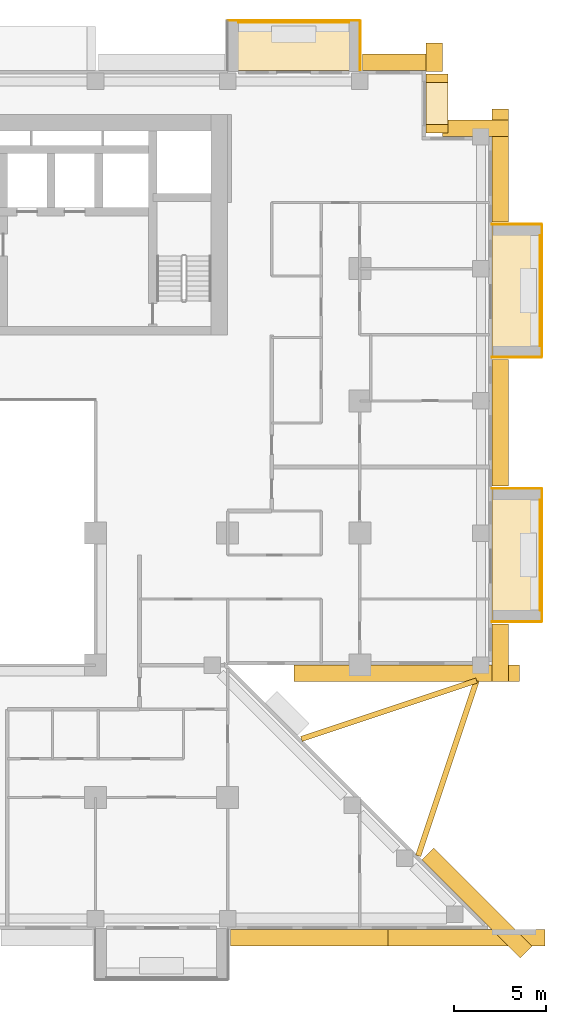
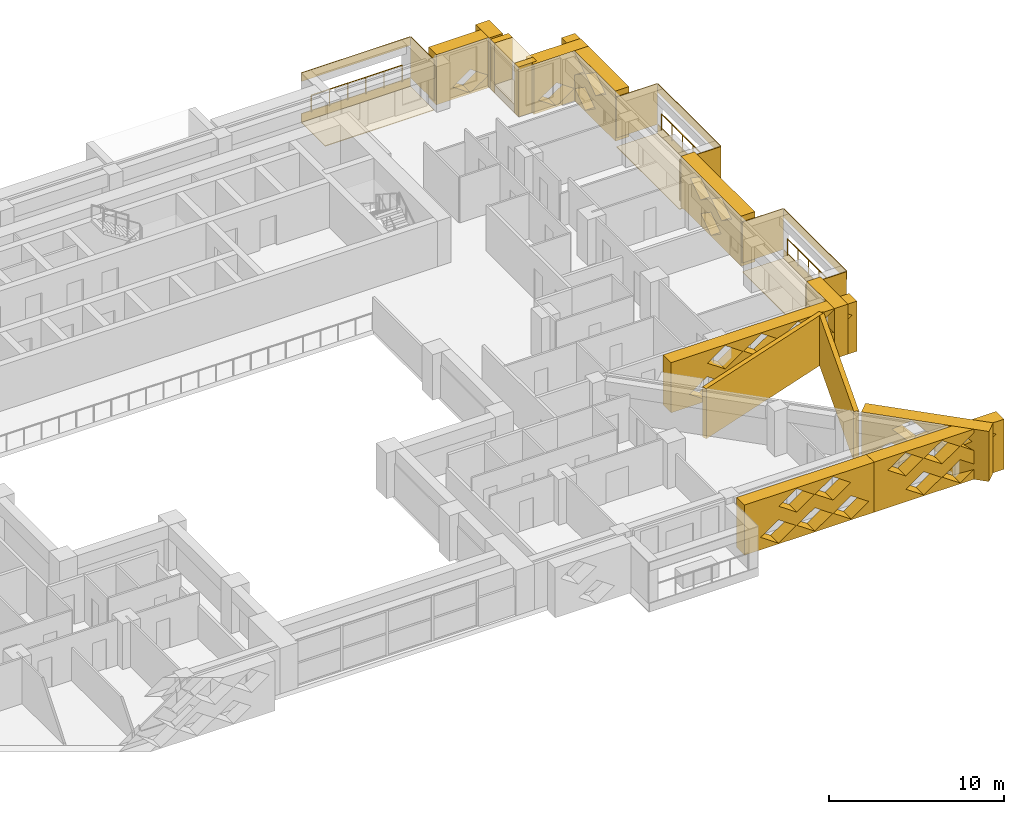
# One storey, part 17 of 17: 30 coverings, 3 railings.
"""IFC4 building model written with IfcOpenShell, lengths in metres."""

from ifc_helpers import new_model, si_unit, direction, frame, origin, origin_2d, place, context, subcontext, project, spatial, polyline, circle, outline, extrude, material, layer, layer_set, type_object, element, save


model = new_model("IFC4")

# Units and contexts
model_context = context("Model", 3, precision=1e-05, world=origin(), true_north=direction((0.0, 1.0)))
body_context = subcontext(model_context, "Body", "Model", "MODEL_VIEW")
ifc_project = project(units=[si_unit("LENGTHUNIT", "METRE"), si_unit("AREAUNIT", "SQUARE_METRE"), si_unit("VOLUMEUNIT", "CUBIC_METRE"), si_unit("PLANEANGLEUNIT", "RADIAN"), si_unit("MASSUNIT", "GRAM", prefix="KILO")], contexts=[model_context])

# Site, building, storey
site_placement = place(None, origin())
site = spatial("IfcSite", under=ifc_project, at=site_placement, CompositionType="ELEMENT")
building_placement = place(site_placement, origin())
building = spatial("IfcBuilding", under=site, at=building_placement, Name="Saffron Iwan Residences", CompositionType="ELEMENT")
storey_placement = place(building_placement, frame((0.0, 0.0, 93.5)))
storey = spatial("IfcBuildingStorey", under=building, at=storey_placement, Name="L24", CompositionType="ELEMENT", Elevation=93.5)

# Railings
ifc_material_1 = material(Name="Stainless steel 316", Category="steel")
railing_type = type_object("IfcRailingType", Name="BALCONY GUARD 1150", PredefinedType="GUARDRAIL", material=ifc_material_1)
for number, where, name in (
    (1, (89.02490234375, 51.0, 0.0), "Balcony guard L24 F2-0"),
    (2, (89.02490234375, 65.39990234375, 0.0), "Balcony guard L24 F2-1"),
):
    element("IfcRailing", number, at=place(storey_placement, frame(where)), inside=storey, type_object=railing_type, Name=name, PredefinedType="GUARDRAIL", context=body_context, shape_type="SweptSolid", body=[
        extrude(circle(Radius=0.02392578125, at=origin_2d()), frame((0.0, 0.0, 1.1259765625), z_axis=(0.0, 1.0, 0.0), x_axis=(-1.0, 0.0, 0.0)), (0.0, 0.0, 1.0), 6.0),
        extrude(circle(Radius=0.02099609375, at=origin_2d()), origin(), (0.0, 0.0, 1.0), 1.101806640625),
        extrude(circle(Radius=0.02099609375, at=origin_2d()), frame((0.0, 1.199951171875, 0.0)), (0.0, 0.0, 1.0), 1.101806640625),
        extrude(circle(Radius=0.02099609375, at=origin_2d()), frame((0.0, 2.39990234375, 0.0)), (0.0, 0.0, 1.0), 1.101806640625),
        extrude(circle(Radius=0.02099609375, at=origin_2d()), frame((0.0, 3.60009765625, 0.0)), (0.0, 0.0, 1.0), 1.101806640625),
        extrude(circle(Radius=0.02099609375, at=origin_2d()), frame((0.0, 4.800048828125, 0.0)), (0.0, 0.0, 1.0), 1.101806640625),
        extrude(circle(Radius=0.02099609375, at=origin_2d()), frame((0.0, 6.0, 0.0)), (0.0, 0.0, 1.0), 1.101806640625),
    ])
railing_placement = place(storey_placement, frame((78.60009765625, 83.02490234375, 0.0)))
element("IfcRailing", 3, at=railing_placement, inside=storey, type_object=railing_type, Name="Balcony guard L24 F5-0", PredefinedType="GUARDRAIL", context=body_context, shape_type="SweptSolid", body=[
    extrude(circle(Radius=0.02392578125, at=origin_2d()), frame((0.0, 0.0, 1.1259765625), z_axis=(-1.0, 0.0, 0.0), x_axis=(0.0, -1.0, 0.0)), (0.0, 0.0, 1.0), 6.0),
    extrude(circle(Radius=0.02099609375, at=origin_2d()), origin(), (0.0, 0.0, 1.0), 1.101806640625),
    extrude(circle(Radius=0.02099609375, at=origin_2d()), frame((-1.199951171875, 0.0, 0.0)), (0.0, 0.0, 1.0), 1.101806640625),
    extrude(circle(Radius=0.02099609375, at=origin_2d()), frame((-2.39990234375, 0.0, 0.0)), (0.0, 0.0, 1.0), 1.101806640625),
    extrude(circle(Radius=0.02099609375, at=origin_2d()), frame((-3.60009765625, 0.0, 0.0)), (0.0, 0.0, 1.0), 1.101806640625),
    extrude(circle(Radius=0.02099609375, at=origin_2d()), frame((-4.800048828125, 0.0, 0.0)), (0.0, 0.0, 1.0), 1.101806640625),
    extrude(circle(Radius=0.02099609375, at=origin_2d()), frame((-6.0, 0.0, 0.0)), (0.0, 0.0, 1.0), 1.101806640625),
])

# Coverings
ifc_material_2 = material(Name="Precast concrete C40/50 white painted", Category="concrete")
ifc_layer_1 = layer(ifc_material_2, 0.050048828125)
ifc_layer_set_1 = layer_set([ifc_layer_1], Name="Precast concrete C40/50 white painted")
covering_type_1 = type_object("IfcCoveringType", Name="FRAME SKIN PRECAST WHITE 50", PredefinedType="CLADDING", material=ifc_layer_set_1)
for number, where, name in (
    (4, (0.0, 0.0, -0.60009765625), "Frame skin slab edge L24 F2-0"),
    (5, (0.0, 0.0, 2.25), "Frame skin fascia L24 F2-0"),
):
    element("IfcCovering", number, at=place(storey_placement, frame(where)), inside=storey, type_object=covering_type_1, Name=name, PredefinedType="CLADDING", context=body_context, shape_type="SweptSolid", body=[
        extrude(outline(polyline([(89.14990234375, 50.39990234375), (89.14990234375, 57.60009765625), (89.10009765625, 57.60009765625), (89.10009765625, 50.39990234375), (89.14990234375, 50.39990234375)])), origin(), (0.0, 0.0, 1.0), 0.60009765625),
    ])
covering_1_placement = place(storey_placement, frame((0.0, 0.0, -0.64990234375)))
element("IfcCovering", 6, at=covering_1_placement, inside=storey, type_object=covering_type_1, Name="Frame skin soffit L24 F2-0", PredefinedType="CLADDING", context=body_context, shape_type="SweptSolid", body=[
    extrude(outline(polyline([(89.10009765625, 50.39990234375), (89.10009765625, 57.60009765625), (86.39990234375, 57.60009765625), (86.39990234375, 50.39990234375), (89.10009765625, 50.39990234375)])), origin(), (0.0, 0.0, 1.0), 0.0498046875),
])
covering_2_placement = place(storey_placement, origin())
element("IfcCovering", 7, at=covering_2_placement, inside=storey, type_object=covering_type_1, Name="Frame skin fin L24 F2-0a", PredefinedType="CLADDING", context=body_context, shape_type="SweptSolid", body=[
    extrude(outline(polyline([(89.10009765625, 50.35009765625), (89.10009765625, 50.39990234375), (86.39990234375, 50.39990234375), (86.39990234375, 50.35009765625), (89.10009765625, 50.35009765625)])), origin(), (0.0, 0.0, 1.0), 2.85009765625),
])
covering_3_placement = place(storey_placement, origin())
element("IfcCovering", 8, at=covering_3_placement, inside=storey, type_object=covering_type_1, Name="Frame skin fin L24 F2-0b", PredefinedType="CLADDING", context=body_context, shape_type="SweptSolid", body=[
    extrude(outline(polyline([(89.10009765625, 57.60009765625), (89.10009765625, 57.64990234375), (86.39990234375, 57.64990234375), (86.39990234375, 57.60009765625), (89.10009765625, 57.60009765625)])), origin(), (0.0, 0.0, 1.0), 2.85009765625),
])
for number, where, name in (
    (9, (0.0, 0.0, -0.60009765625), "Frame skin slab edge L24 F2-1"),
    (10, (0.0, 0.0, 2.25), "Frame skin fascia L24 F2-1"),
):
    element("IfcCovering", number, at=place(storey_placement, frame(where)), inside=storey, type_object=covering_type_1, Name=name, PredefinedType="CLADDING", context=body_context, shape_type="SweptSolid", body=[
        extrude(outline(polyline([(89.14990234375, 64.800048828125), (89.14990234375, 72.0), (89.10009765625, 72.0), (89.10009765625, 64.800048828125), (89.14990234375, 64.800048828125)])), origin(), (0.0, 0.0, 1.0), 0.60009765625),
    ])
covering_4_placement = place(storey_placement, frame((0.0, 0.0, -0.64990234375)))
element("IfcCovering", 11, at=covering_4_placement, inside=storey, type_object=covering_type_1, Name="Frame skin soffit L24 F2-1", PredefinedType="CLADDING", context=body_context, shape_type="SweptSolid", body=[
    extrude(outline(polyline([(89.10009765625, 64.800048828125), (89.10009765625, 72.0), (86.39990234375, 72.0), (86.39990234375, 64.800048828125), (89.10009765625, 64.800048828125)])), origin(), (0.0, 0.0, 1.0), 0.0498046875),
])
covering_5_placement = place(storey_placement, origin())
element("IfcCovering", 12, at=covering_5_placement, inside=storey, type_object=covering_type_1, Name="Frame skin fin L24 F2-1a", PredefinedType="CLADDING", context=body_context, shape_type="SweptSolid", body=[
    extrude(outline(polyline([(89.10009765625, 64.75), (89.10009765625, 64.800048828125), (86.39990234375, 64.800048828125), (86.39990234375, 64.75), (89.10009765625, 64.75)])), origin(), (0.0, 0.0, 1.0), 2.85009765625),
])
covering_6_placement = place(storey_placement, origin())
element("IfcCovering", 13, at=covering_6_placement, inside=storey, type_object=covering_type_1, Name="Frame skin fin L24 F2-1b", PredefinedType="CLADDING", context=body_context, shape_type="SweptSolid", body=[
    extrude(outline(polyline([(89.10009765625, 72.0), (89.10009765625, 72.050048828125), (86.39990234375, 72.050048828125), (86.39990234375, 72.0), (89.10009765625, 72.0)])), origin(), (0.0, 0.0, 1.0), 2.85009765625),
])
for number, where, name in (
    (14, (0.0, 0.0, -0.60009765625), "Frame skin slab edge L24 F5-0"),
    (15, (0.0, 0.0, 2.25), "Frame skin fascia L24 F5-0"),
):
    element("IfcCovering", number, at=place(storey_placement, frame(where)), inside=storey, type_object=covering_type_1, Name=name, PredefinedType="CLADDING", context=body_context, shape_type="SweptSolid", body=[
        extrude(outline(polyline([(79.199951171875, 83.14990234375), (72.0, 83.14990234375), (72.0, 83.10009765625), (79.199951171875, 83.10009765625), (79.199951171875, 83.14990234375)])), origin(), (0.0, 0.0, 1.0), 0.60009765625),
    ])
covering_7_placement = place(storey_placement, frame((0.0, 0.0, -0.64990234375)))
element("IfcCovering", 16, at=covering_7_placement, inside=storey, type_object=covering_type_1, Name="Frame skin soffit L24 F5-0", PredefinedType="CLADDING", context=body_context, shape_type="SweptSolid", body=[
    extrude(outline(polyline([(79.199951171875, 83.10009765625), (72.0, 83.10009765625), (72.0, 80.39990234375), (79.199951171875, 80.39990234375), (79.199951171875, 83.10009765625)])), origin(), (0.0, 0.0, 1.0), 0.0498046875),
])
covering_8_placement = place(storey_placement, origin())
element("IfcCovering", 17, at=covering_8_placement, inside=storey, type_object=covering_type_1, Name="Frame skin fin L24 F5-0a", PredefinedType="CLADDING", context=body_context, shape_type="SweptSolid", body=[
    extrude(outline(polyline([(79.25, 83.10009765625), (79.199951171875, 83.10009765625), (79.199951171875, 80.39990234375), (79.25, 80.39990234375), (79.25, 83.10009765625)])), origin(), (0.0, 0.0, 1.0), 2.85009765625),
])
ifc_material_3 = material(Name="Precast concrete C40/50", Category="concrete")
covering_type_2 = type_object("IfcCoveringType", Name="OUTER SKIN LATTICE SCREEN", PredefinedType="CLADDING", material=ifc_material_3)
covering_9_placement = place(storey_placement, frame((87.939453125, 32.060546875, -0.320068359375), z_axis=(0.706971125213, 0.70724241114, 0.0), x_axis=(-0.70724241114, 0.706971125213, 0.0)))
element("IfcCovering", 18, at=covering_9_placement, inside=storey, type_object=covering_type_2, Name="OUTER SKIN lattice screen L24 F0.0", PredefinedType="CLADDING", context=body_context, shape_type="SweptSolid", body=[
    extrude(outline(polyline([(0.0, 0.0), (7.559326171875, 0.0), (7.559326171875, 3.5), (0.0, 3.5), (0.0, 0.0)]), holes=[polyline([(2.197021484375, 0.875), (3.377197265625, 0.06005859375), (4.55712890625, 0.875), (3.377197265625, 1.68994140625), (2.197021484375, 0.875)]), polyline([(4.59716796875, 0.875), (5.777099609375, 0.06005859375), (6.95703125, 0.875), (5.777099609375, 1.68994140625), (4.59716796875, 0.875)]), polyline([(0.9970703125, 2.625), (2.177001953125, 1.81005859375), (3.357177734375, 2.625), (2.177001953125, 3.43994140625), (0.9970703125, 2.625)]), polyline([(3.397216796875, 2.625), (4.5771484375, 1.81005859375), (5.757080078125, 2.625), (4.5771484375, 3.43994140625), (3.397216796875, 2.625)])]), origin(), (0.0, 0.0, 1.0), 0.89990234375),
])
covering_10_placement = place(storey_placement, frame((75.6171875, 48.0, -0.320068359375), z_axis=(0.0, -1.0, 0.0), x_axis=(1.0, 0.0, 0.0)))
element("IfcCovering", 19, at=covering_10_placement, inside=storey, type_object=covering_type_2, Name="OUTER SKIN lattice screen L24 F1.0", PredefinedType="CLADDING", context=body_context, shape_type="SweptSolid", body=[
    extrude(outline(polyline([(0.0, 0.0), (12.282958984375, 0.0), (12.282958984375, 3.5), (0.0, 3.5), (0.0, 0.0)]), holes=[polyline([(1.202880859375, 0.875), (2.3828125, 0.06005859375), (3.56298828125, 0.875), (2.3828125, 1.68994140625), (1.202880859375, 0.875)]), polyline([(3.602783203125, 0.875), (4.782958984375, 0.06005859375), (5.962890625, 0.875), (4.782958984375, 1.68994140625), (3.602783203125, 0.875)]), polyline([(6.0029296875, 0.875), (7.182861328125, 0.06005859375), (8.36279296875, 0.875), (7.182861328125, 1.68994140625), (6.0029296875, 0.875)]), polyline([(8.40283203125, 0.875), (9.5830078125, 0.06005859375), (10.762939453125, 0.875), (9.5830078125, 1.68994140625), (8.40283203125, 0.875)]), polyline([(2.40283203125, 2.625), (3.5830078125, 1.81005859375), (4.762939453125, 2.625), (3.5830078125, 3.43994140625), (2.40283203125, 2.625)]), polyline([(4.802978515625, 2.625), (5.98291015625, 1.81005859375), (7.162841796875, 2.625), (5.98291015625, 3.43994140625), (4.802978515625, 2.625)]), polyline([(7.202880859375, 2.625), (8.3828125, 1.81005859375), (9.56298828125, 2.625), (8.3828125, 3.43994140625), (7.202880859375, 2.625)]), polyline([(9.602783203125, 2.625), (10.782958984375, 1.81005859375), (11.962890625, 2.625), (10.782958984375, 3.43994140625), (9.602783203125, 2.625)])]), origin(), (0.0, 0.0, 1.0), 0.89990234375),
])
covering_11_placement = place(storey_placement, frame((86.39990234375, 47.10009765625, -0.320068359375), z_axis=(1.0, 0.0, 0.0), x_axis=(0.0, 1.0, 0.0)))
element("IfcCovering", 20, at=covering_11_placement, inside=storey, type_object=covering_type_2, Name="OUTER SKIN lattice screen L24 F2.0", PredefinedType="CLADDING", context=body_context, shape_type="SweptSolid", body=[
    extrude(outline(polyline([(0.0, 0.0), (3.14990234375, 0.0), (3.14990234375, 3.5), (0.0, 3.5), (0.0, 0.0)])), origin(), (0.0, 0.0, 1.0), 0.900146484375),
])
covering_12_placement = place(storey_placement, frame((86.39990234375, 57.75, -0.320068359375), z_axis=(1.0, 0.0, 0.0), x_axis=(0.0, 1.0, 0.0)))
element("IfcCovering", 21, at=covering_12_placement, inside=storey, type_object=covering_type_2, Name="OUTER SKIN lattice screen L24 F2.1", PredefinedType="CLADDING", context=body_context, shape_type="SweptSolid", body=[
    extrude(outline(polyline([(0.0, 0.0), (6.89990234375, 0.0), (6.89990234375, 3.5), (0.0, 3.5), (0.0, 0.0)]), holes=[polyline([(2.27001953125, 0.875), (3.449951171875, 0.06005859375), (4.6298828125, 0.875), (3.449951171875, 1.68994140625), (2.27001953125, 0.875)]), polyline([(1.070068359375, 2.625), (2.25, 1.81005859375), (3.429931640625, 2.625), (2.25, 3.43994140625), (1.070068359375, 2.625)]), polyline([(3.469970703125, 2.625), (4.64990234375, 1.81005859375), (5.830078125, 2.625), (4.64990234375, 3.43994140625), (3.469970703125, 2.625)])]), origin(), (0.0, 0.0, 1.0), 0.900146484375),
])
covering_13_placement = place(storey_placement, frame((86.39990234375, 72.14990234375, -0.320068359375), z_axis=(1.0, 0.0, 0.0), x_axis=(0.0, 1.0, 0.0)))
element("IfcCovering", 22, at=covering_13_placement, inside=storey, type_object=covering_type_2, Name="OUTER SKIN lattice screen L24 F2.2", PredefinedType="CLADDING", context=body_context, shape_type="SweptSolid", body=[
    extrude(outline(polyline([(0.0, 0.0), (6.14990234375, 0.0), (6.14990234375, 3.5), (0.0, 3.5), (0.0, 0.0)]), holes=[polyline([(2.27001953125, 0.875), (3.449951171875, 0.06005859375), (4.6298828125, 0.875), (3.449951171875, 1.68994140625), (2.27001953125, 0.875)]), polyline([(1.070068359375, 2.625), (2.25, 1.81005859375), (3.429931640625, 2.625), (2.25, 3.43994140625), (1.070068359375, 2.625)]), polyline([(3.469970703125, 2.625), (4.64990234375, 1.81005859375), (5.830078125, 2.625), (4.64990234375, 3.43994140625), (3.469970703125, 2.625)])]), origin(), (0.0, 0.0, 1.0), 0.900146484375),
])
covering_14_placement = place(storey_placement, frame((87.300048828125, 76.800048828125, -0.320068359375), z_axis=(0.0, 1.0, 0.0), x_axis=(-1.0, 0.0, 0.0)))
element("IfcCovering", 23, at=covering_14_placement, inside=storey, type_object=covering_type_2, Name="OUTER SKIN lattice screen L24 F3.0", PredefinedType="CLADDING", context=body_context, shape_type="SweptSolid", body=[
    extrude(outline(polyline([(0.0, 0.0), (3.60009765625, 0.0), (3.60009765625, 3.5), (0.0, 3.5), (0.0, 0.0)]), holes=[polyline([(0.919921875, 0.875), (2.10009765625, 0.06005859375), (3.280029296875, 0.875), (2.10009765625, 1.68994140625), (0.919921875, 0.875)])]), origin(), (0.0, 0.0, 1.0), 0.89990234375),
])
covering_15_placement = place(storey_placement, frame((82.800048828125, 80.35009765625, -0.320068359375), z_axis=(1.0, 0.0, 0.0), x_axis=(0.0, 1.0, 0.0)))
element("IfcCovering", 24, at=covering_15_placement, inside=storey, type_object=covering_type_2, Name="OUTER SKIN lattice screen L24 F4.0", PredefinedType="CLADDING", context=body_context, shape_type="SweptSolid", body=[
    extrude(outline(polyline([(0.0, 0.0), (1.550048828125, 0.0), (1.550048828125, 3.5), (0.0, 3.5), (0.0, 0.0)])), origin(), (0.0, 0.0, 1.0), 0.89990234375),
])
covering_16_placement = place(storey_placement, frame((83.699951171875, 80.39990234375, -0.320068359375), z_axis=(0.0, 1.0, 0.0), x_axis=(-1.0, 0.0, 0.0)))
element("IfcCovering", 25, at=covering_16_placement, inside=storey, type_object=covering_type_2, Name="OUTER SKIN lattice screen L24 F5.0", PredefinedType="CLADDING", context=body_context, shape_type="SweptSolid", body=[
    extrude(outline(polyline([(0.0, 0.0), (4.35009765625, 0.0), (4.35009765625, 3.5), (0.0, 3.5), (0.0, 0.0)]), holes=[polyline([(0.919921875, 0.875), (2.10009765625, 0.06005859375), (3.280029296875, 0.875), (2.10009765625, 1.68994140625), (0.919921875, 0.875)])]), origin(), (0.0, 0.0, 1.0), 0.900146484375),
])
covering_17_placement = place(storey_placement, frame((72.14990234375, 33.60009765625, -0.320068359375), z_axis=(0.0, -1.0, 0.0), x_axis=(1.0, 0.0, 0.0)))
element("IfcCovering", 26, at=covering_17_placement, inside=storey, type_object=covering_type_2, Name="OUTER SKIN lattice screen L24 F11.3", PredefinedType="CLADDING", context=body_context, shape_type="SweptSolid", body=[
    extrude(outline(polyline([(0.0, 0.0), (8.573486328125, 0.0), (8.573486328125, 3.5), (0.0, 3.5), (0.0, 0.0)]), holes=[polyline([(1.070068359375, 0.875), (2.25, 0.06005859375), (3.429931640625, 0.875), (2.25, 1.68994140625), (1.070068359375, 0.875)]), polyline([(3.469970703125, 0.875), (4.64990234375, 0.06005859375), (5.830078125, 0.875), (4.64990234375, 1.68994140625), (3.469970703125, 0.875)]), polyline([(5.8701171875, 0.875), (7.050048828125, 0.06005859375), (8.22998046875, 0.875), (7.050048828125, 1.68994140625), (5.8701171875, 0.875)]), polyline([(2.27001953125, 2.625), (3.449951171875, 1.81005859375), (4.6298828125, 2.625), (3.449951171875, 3.43994140625), (2.27001953125, 2.625)]), polyline([(4.669921875, 2.625), (5.85009765625, 1.81005859375), (7.030029296875, 2.625), (5.85009765625, 3.43994140625), (4.669921875, 2.625)])]), origin(), (0.0, 0.0, 1.0), 0.900146484375),
])
covering_18_placement = place(storey_placement, frame((80.7236328125, 33.60009765625, -0.320068359375), z_axis=(0.0, -1.0, 0.0), x_axis=(1.0, 0.0, 0.0)))
element("IfcCovering", 27, at=covering_18_placement, inside=storey, type_object=covering_type_2, Name="OUTER SKIN lattice screen L24 F11.4", PredefinedType="CLADDING", context=body_context, shape_type="SweptSolid", body=[
    extrude(outline(polyline([(0.0, 0.0), (8.573486328125, 0.0), (8.573486328125, 3.5), (0.0, 3.5), (0.0, 0.0)]), holes=[polyline([(2.096435546875, 0.875), (3.2763671875, 0.06005859375), (4.456298828125, 0.875), (3.2763671875, 1.68994140625), (2.096435546875, 0.875)]), polyline([(4.49658203125, 0.875), (5.676513671875, 0.06005859375), (6.8564453125, 0.875), (5.676513671875, 1.68994140625), (4.49658203125, 0.875)]), polyline([(0.896484375, 2.625), (2.076416015625, 1.81005859375), (3.25634765625, 2.625), (2.076416015625, 3.43994140625), (0.896484375, 2.625)]), polyline([(3.29638671875, 2.625), (4.476318359375, 1.81005859375), (5.656494140625, 2.625), (4.476318359375, 3.43994140625), (3.29638671875, 2.625)]), polyline([(5.696533203125, 2.625), (6.87646484375, 1.81005859375), (8.056396484375, 2.625), (6.87646484375, 3.43994140625), (5.696533203125, 2.625)])]), origin(), (0.0, 0.0, 1.0), 0.900146484375),
])
ifc_layer_2 = layer(ifc_material_2, 0.300048828125)
ifc_layer_set_2 = layer_set([ifc_layer_2], Name="Precast concrete C40/50 white painted")
covering_type_3 = type_object("IfcCoveringType", Name="PROW NOSE BLADE PRECAST WHITE", PredefinedType="CLADDING", material=ifc_layer_set_2)
covering_19_placement = place(storey_placement, frame((0.0, 0.0, -0.320068359375)))
element("IfcCovering", 28, at=covering_19_placement, inside=storey, type_object=covering_type_3, Name="Prow nose blade L24 a", PredefinedType="CLADDING", context=body_context, shape_type="SweptSolid", body=[
    extrude(outline(polyline([(82.5244140625, 37.570556640625), (85.706298828125, 47.116455078125), (85.421630859375, 47.21142578125), (82.23974609375, 37.66552734375), (82.5244140625, 37.570556640625)])), origin(), (0.0, 0.0, 1.0), 3.5),
])
covering_20_placement = place(storey_placement, frame((0.0, 0.0, -0.320068359375)))
element("IfcCovering", 29, at=covering_20_placement, inside=storey, type_object=covering_type_3, Name="Prow nose blade L24 b", PredefinedType="CLADDING", context=body_context, shape_type="SweptSolid", body=[
    extrude(outline(polyline([(76.0654296875, 43.839599609375), (85.611328125, 47.021728515625), (85.5166015625, 47.306396484375), (75.970703125, 44.124267578125), (76.0654296875, 43.839599609375)])), origin(), (0.0, 0.0, 1.0), 3.5),
])
covering_type_4 = type_object("IfcCoveringType", Name="WHITE SUN FRAME PRECAST", PredefinedType="CLADDING", material=ifc_material_2)
for number, where, z_axis, x_axis, name in (
    (30, (82.800048828125, 77.0, -0.320068359375), (1.0, 0.0, 0.0), (0.0, 1.0, 0.0), "Sun frame L24 F4 0.2a"),
    (31, (82.800048828125, 79.75, -0.320068359375), (1.0, 0.0, 0.0), (0.0, 1.0, 0.0), "Sun frame L24 F4 0.2b"),
):
    element("IfcCovering", number, at=place(storey_placement, frame(where, z_axis=z_axis, x_axis=x_axis)), inside=storey, type_object=covering_type_4, Name=name, PredefinedType="CLADDING", context=body_context, shape_type="SweptSolid", body=[
        extrude(outline(polyline([(0.0, 0.0), (0.449951171875, 0.0), (0.449951171875, 3.5), (0.0, 3.5), (0.0, 0.0)])), origin(), (0.0, 0.0, 1.0), 1.199951171875),
    ])
for number, where, z_axis, x_axis, name in (
    (32, (82.800048828125, 77.449951171875, 2.580078125), (1.0, 0.0, 0.0), (0.0, 1.0, 0.0), "Sun frame L24 F4 0.2h"),
    (33, (82.800048828125, 77.449951171875, -0.320068359375), (1.0, 0.0, 0.0), (0.0, 1.0, 0.0), "Sun frame L24 F4 0.2s"),
):
    element("IfcCovering", number, at=place(storey_placement, frame(where, z_axis=z_axis, x_axis=x_axis)), inside=storey, type_object=covering_type_4, Name=name, PredefinedType="CLADDING", context=body_context, shape_type="SweptSolid", body=[
        extrude(outline(polyline([(0.0, 0.0), (2.300048828125, 0.0), (2.300048828125, 0.60009765625), (0.0, 0.60009765625), (0.0, 0.0)])), origin(), (0.0, 0.0, 1.0), 1.199951171875),
    ])

save(model, "model.ifc")
